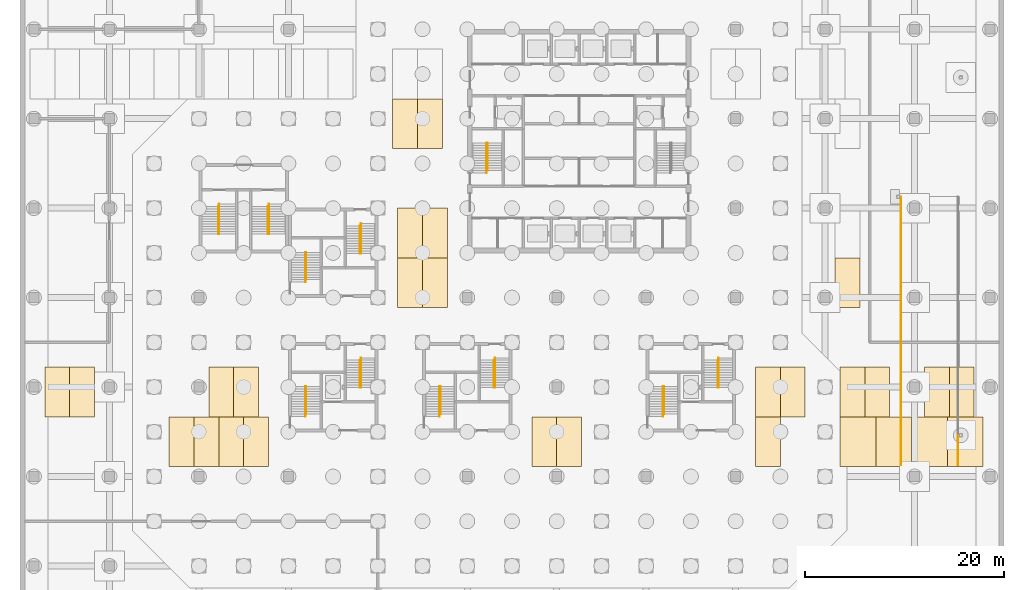
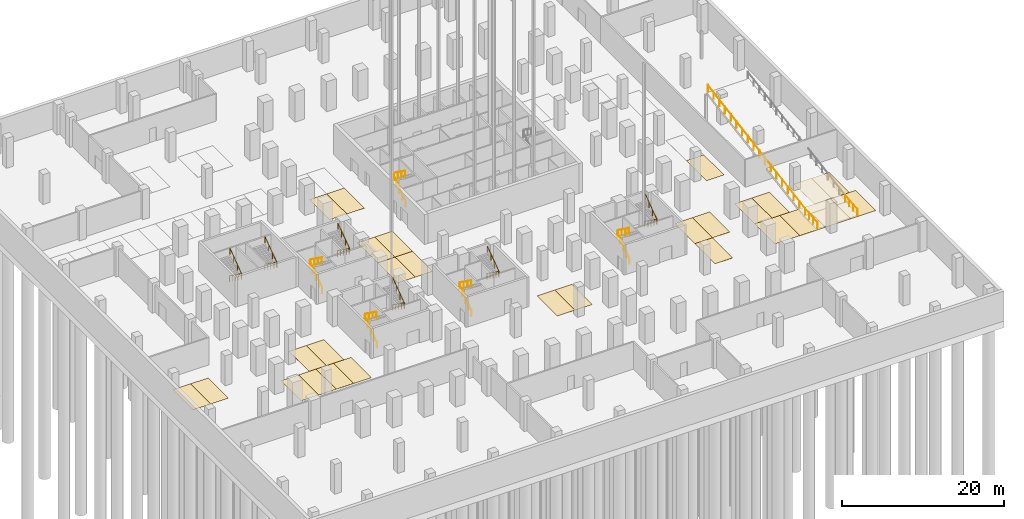
# One storey, part 35 of 37: 28 coverings, 14 railings.
"""IFC4 building model written with IfcOpenShell, lengths in metres."""

from ifc_helpers import new_model, si_unit, direction, frame, origin, origin_2d, place, context, subcontext, project, spatial, polyline, circle, outline, extrude, material, layer, layer_set, type_object, element, save


model = new_model("IFC4")

# Units and contexts
model_context = context("Model", 3, precision=1e-05, world=origin(), true_north=direction((0.0, 1.0)))
body_context = subcontext(model_context, "Body", "Model", "MODEL_VIEW")
ifc_project = project(units=[si_unit("LENGTHUNIT", "METRE"), si_unit("AREAUNIT", "SQUARE_METRE"), si_unit("VOLUMEUNIT", "CUBIC_METRE"), si_unit("PLANEANGLEUNIT", "RADIAN"), si_unit("MASSUNIT", "GRAM", prefix="KILO")], contexts=[model_context])

# Site, building, storey
site_placement = place(None, origin())
site = spatial("IfcSite", under=ifc_project, at=site_placement, CompositionType="ELEMENT")
building_placement = place(site_placement, origin())
building = spatial("IfcBuilding", under=site, at=building_placement, Name="Quoin Convention Tower", CompositionType="ELEMENT")
storey_placement = place(building_placement, frame((0.0, 0.0, -9.0)))
storey = spatial("IfcBuildingStorey", under=building, at=storey_placement, Name="B2", CompositionType="ELEMENT", Elevation=-9.0)

# Coverings
ifc_material_1 = material(Name="Road marking paint")
ifc_layer = layer(ifc_material_1, 0.0048828125)
ifc_layer_set = layer_set([ifc_layer], Name="Road marking paint")
covering_type = type_object("IfcCoveringType", Name="Parking bay marking", PredefinedType="FLOORING", material=ifc_layer_set)
covering_1_placement = place(storey_placement, origin())
element("IfcCovering", 1, at=covering_1_placement, inside=storey, type_object=covering_type, Name="PARKING BAY B2-01", PredefinedType="FLOORING", context=body_context, shape_type="SweptSolid", body=[
    extrude(outline(polyline([(15.0, 28.0), (17.5, 28.0), (17.5, 33.0), (15.0, 33.0), (15.0, 28.0)])), origin(), (0.0, 0.0, 1.0), 0.0048828125),
])
covering_2_placement = place(storey_placement, origin())
element("IfcCovering", 2, at=covering_2_placement, inside=storey, type_object=covering_type, Name="PARKING BAY B2-02", PredefinedType="FLOORING", context=body_context, shape_type="SweptSolid", body=[
    extrude(outline(polyline([(17.5, 28.0), (20.0, 28.0), (20.0, 33.0), (17.5, 33.0), (17.5, 28.0)])), origin(), (0.0, 0.0, 1.0), 0.0048828125),
])
covering_3_placement = place(storey_placement, origin())
element("IfcCovering", 3, at=covering_3_placement, inside=storey, type_object=covering_type, Name="PARKING BAY B2-03", PredefinedType="FLOORING", context=body_context, shape_type="SweptSolid", body=[
    extrude(outline(polyline([(20.0, 28.0), (22.5, 28.0), (22.5, 33.0), (20.0, 33.0), (20.0, 28.0)])), origin(), (0.0, 0.0, 1.0), 0.0048828125),
])
covering_4_placement = place(storey_placement, origin())
element("IfcCovering", 4, at=covering_4_placement, inside=storey, type_object=covering_type, Name="PARKING BAY B2-04", PredefinedType="FLOORING", context=body_context, shape_type="SweptSolid", body=[
    extrude(outline(polyline([(22.5, 28.0), (25.0, 28.0), (25.0, 33.0), (22.5, 33.0), (22.5, 28.0)])), origin(), (0.0, 0.0, 1.0), 0.0048828125),
])
covering_5_placement = place(storey_placement, origin())
element("IfcCovering", 5, at=covering_5_placement, inside=storey, type_object=covering_type, Name="PARKING BAY B2-05", PredefinedType="FLOORING", context=body_context, shape_type="SweptSolid", body=[
    extrude(outline(polyline([(51.5, 28.0), (54.0, 28.0), (54.0, 33.0), (51.5, 33.0), (51.5, 28.0)])), origin(), (0.0, 0.0, 1.0), 0.0048828125),
])
covering_6_placement = place(storey_placement, origin())
element("IfcCovering", 6, at=covering_6_placement, inside=storey, type_object=covering_type, Name="PARKING BAY B2-06", PredefinedType="FLOORING", context=body_context, shape_type="SweptSolid", body=[
    extrude(outline(polyline([(54.0, 28.0), (56.5, 28.0), (56.5, 33.0), (54.0, 33.0), (54.0, 28.0)])), origin(), (0.0, 0.0, 1.0), 0.0048828125),
])
covering_7_placement = place(storey_placement, origin())
element("IfcCovering", 7, at=covering_7_placement, inside=storey, type_object=covering_type, Name="PARKING BAY B2-07", PredefinedType="FLOORING", context=body_context, shape_type="SweptSolid", body=[
    extrude(outline(polyline([(74.0, 28.0), (76.5, 28.0), (76.5, 33.0), (74.0, 33.0), (74.0, 28.0)])), origin(), (0.0, 0.0, 1.0), 0.0048828125),
])
covering_8_placement = place(storey_placement, origin())
element("IfcCovering", 8, at=covering_8_placement, inside=storey, type_object=covering_type, Name="ACCESSIBLE PARKING BAY B2-08", PredefinedType="FLOORING", context=body_context, shape_type="SweptSolid", body=[
    extrude(outline(polyline([(82.5, 28.0), (86.10009765625, 28.0), (86.10009765625, 33.0), (82.5, 33.0), (82.5, 28.0)])), origin(), (0.0, 0.0, 1.0), 0.0048828125),
])
covering_9_placement = place(storey_placement, origin())
element("IfcCovering", 9, at=covering_9_placement, inside=storey, type_object=covering_type, Name="ACCESSIBLE PARKING BAY B2-09", PredefinedType="FLOORING", context=body_context, shape_type="SweptSolid", body=[
    extrude(outline(polyline([(86.10009765625, 28.0), (89.699951171875, 28.0), (89.699951171875, 33.0), (86.10009765625, 33.0), (86.10009765625, 28.0)])), origin(), (0.0, 0.0, 1.0), 0.0048828125),
])
covering_10_placement = place(storey_placement, origin())
element("IfcCovering", 10, at=covering_10_placement, inside=storey, type_object=covering_type, Name="ACCESSIBLE PARKING BAY B2-10", PredefinedType="FLOORING", context=body_context, shape_type="SweptSolid", body=[
    extrude(outline(polyline([(89.699951171875, 28.0), (93.300048828125, 28.0), (93.300048828125, 33.0), (89.699951171875, 33.0), (89.699951171875, 28.0)])), origin(), (0.0, 0.0, 1.0), 0.0048828125),
])
covering_11_placement = place(storey_placement, origin())
element("IfcCovering", 11, at=covering_11_placement, inside=storey, type_object=covering_type, Name="ACCESSIBLE PARKING BAY B2-11", PredefinedType="FLOORING", context=body_context, shape_type="SweptSolid", body=[
    extrude(outline(polyline([(93.300048828125, 28.0), (96.89990234375, 28.0), (96.89990234375, 33.0), (93.300048828125, 33.0), (93.300048828125, 28.0)])), origin(), (0.0, 0.0, 1.0), 0.0048828125),
])
covering_12_placement = place(storey_placement, origin())
element("IfcCovering", 12, at=covering_12_placement, inside=storey, type_object=covering_type, Name="PARKING BAY B2-12", PredefinedType="FLOORING", context=body_context, shape_type="SweptSolid", body=[
    extrude(outline(polyline([(2.5, 33.0), (5.0, 33.0), (5.0, 38.0), (2.5, 38.0), (2.5, 33.0)])), origin(), (0.0, 0.0, 1.0), 0.0048828125),
])
covering_13_placement = place(storey_placement, origin())
element("IfcCovering", 13, at=covering_13_placement, inside=storey, type_object=covering_type, Name="PARKING BAY B2-13", PredefinedType="FLOORING", context=body_context, shape_type="SweptSolid", body=[
    extrude(outline(polyline([(5.0, 33.0), (7.5, 33.0), (7.5, 38.0), (5.0, 38.0), (5.0, 33.0)])), origin(), (0.0, 0.0, 1.0), 0.0048828125),
])
covering_14_placement = place(storey_placement, origin())
element("IfcCovering", 14, at=covering_14_placement, inside=storey, type_object=covering_type, Name="PARKING BAY B2-14", PredefinedType="FLOORING", context=body_context, shape_type="SweptSolid", body=[
    extrude(outline(polyline([(19.0, 33.0), (21.5, 33.0), (21.5, 38.0), (19.0, 38.0), (19.0, 33.0)])), origin(), (0.0, 0.0, 1.0), 0.0048828125),
])
covering_15_placement = place(storey_placement, origin())
element("IfcCovering", 15, at=covering_15_placement, inside=storey, type_object=covering_type, Name="PARKING BAY B2-15", PredefinedType="FLOORING", context=body_context, shape_type="SweptSolid", body=[
    extrude(outline(polyline([(21.5, 33.0), (24.0, 33.0), (24.0, 38.0), (21.5, 38.0), (21.5, 33.0)])), origin(), (0.0, 0.0, 1.0), 0.0048828125),
])
covering_16_placement = place(storey_placement, origin())
element("IfcCovering", 16, at=covering_16_placement, inside=storey, type_object=covering_type, Name="PARKING BAY B2-16", PredefinedType="FLOORING", context=body_context, shape_type="SweptSolid", body=[
    extrude(outline(polyline([(74.0, 33.0), (76.5, 33.0), (76.5, 38.0), (74.0, 38.0), (74.0, 33.0)])), origin(), (0.0, 0.0, 1.0), 0.0048828125),
])
covering_17_placement = place(storey_placement, origin())
element("IfcCovering", 17, at=covering_17_placement, inside=storey, type_object=covering_type, Name="PARKING BAY B2-17", PredefinedType="FLOORING", context=body_context, shape_type="SweptSolid", body=[
    extrude(outline(polyline([(76.5, 33.0), (79.0, 33.0), (79.0, 38.0), (76.5, 38.0), (76.5, 33.0)])), origin(), (0.0, 0.0, 1.0), 0.0048828125),
])
covering_18_placement = place(storey_placement, origin())
element("IfcCovering", 18, at=covering_18_placement, inside=storey, type_object=covering_type, Name="PARKING BAY B2-18", PredefinedType="FLOORING", context=body_context, shape_type="SweptSolid", body=[
    extrude(outline(polyline([(82.5, 33.0), (85.0, 33.0), (85.0, 38.0), (82.5, 38.0), (82.5, 33.0)])), origin(), (0.0, 0.0, 1.0), 0.0048828125),
])
covering_19_placement = place(storey_placement, origin())
element("IfcCovering", 19, at=covering_19_placement, inside=storey, type_object=covering_type, Name="PARKING BAY B2-19", PredefinedType="FLOORING", context=body_context, shape_type="SweptSolid", body=[
    extrude(outline(polyline([(85.0, 33.0), (87.5, 33.0), (87.5, 38.0), (85.0, 38.0), (85.0, 33.0)])), origin(), (0.0, 0.0, 1.0), 0.0048828125),
])
covering_20_placement = place(storey_placement, origin())
element("IfcCovering", 20, at=covering_20_placement, inside=storey, type_object=covering_type, Name="PARKING BAY B2-20", PredefinedType="FLOORING", context=body_context, shape_type="SweptSolid", body=[
    extrude(outline(polyline([(91.0, 33.0), (93.5, 33.0), (93.5, 38.0), (91.0, 38.0), (91.0, 33.0)])), origin(), (0.0, 0.0, 1.0), 0.0048828125),
])
covering_21_placement = place(storey_placement, origin())
element("IfcCovering", 21, at=covering_21_placement, inside=storey, type_object=covering_type, Name="PARKING BAY B2-21", PredefinedType="FLOORING", context=body_context, shape_type="SweptSolid", body=[
    extrude(outline(polyline([(93.5, 33.0), (96.0, 33.0), (96.0, 38.0), (93.5, 38.0), (93.5, 33.0)])), origin(), (0.0, 0.0, 1.0), 0.0048828125),
])
covering_22_placement = place(storey_placement, origin())
element("IfcCovering", 22, at=covering_22_placement, inside=storey, type_object=covering_type, Name="PARKING BAY B2-22", PredefinedType="FLOORING", context=body_context, shape_type="SweptSolid", body=[
    extrude(outline(polyline([(38.0, 44.0), (40.5, 44.0), (40.5, 49.0), (38.0, 49.0), (38.0, 44.0)])), origin(), (0.0, 0.0, 1.0), 0.0048828125),
])
covering_23_placement = place(storey_placement, origin())
element("IfcCovering", 23, at=covering_23_placement, inside=storey, type_object=covering_type, Name="PARKING BAY B2-23", PredefinedType="FLOORING", context=body_context, shape_type="SweptSolid", body=[
    extrude(outline(polyline([(40.5, 44.0), (43.0, 44.0), (43.0, 49.0), (40.5, 49.0), (40.5, 44.0)])), origin(), (0.0, 0.0, 1.0), 0.0048828125),
])
covering_24_placement = place(storey_placement, origin())
element("IfcCovering", 24, at=covering_24_placement, inside=storey, type_object=covering_type, Name="PARKING BAY B2-24", PredefinedType="FLOORING", context=body_context, shape_type="SweptSolid", body=[
    extrude(outline(polyline([(82.0, 44.0), (84.5, 44.0), (84.5, 49.0), (82.0, 49.0), (82.0, 44.0)])), origin(), (0.0, 0.0, 1.0), 0.0048828125),
])
covering_25_placement = place(storey_placement, origin())
element("IfcCovering", 25, at=covering_25_placement, inside=storey, type_object=covering_type, Name="PARKING BAY B2-25", PredefinedType="FLOORING", context=body_context, shape_type="SweptSolid", body=[
    extrude(outline(polyline([(38.0, 49.0), (40.5, 49.0), (40.5, 54.0), (38.0, 54.0), (38.0, 49.0)])), origin(), (0.0, 0.0, 1.0), 0.0048828125),
])
covering_26_placement = place(storey_placement, origin())
element("IfcCovering", 26, at=covering_26_placement, inside=storey, type_object=covering_type, Name="PARKING BAY B2-26", PredefinedType="FLOORING", context=body_context, shape_type="SweptSolid", body=[
    extrude(outline(polyline([(40.5, 49.0), (43.0, 49.0), (43.0, 54.0), (40.5, 54.0), (40.5, 49.0)])), origin(), (0.0, 0.0, 1.0), 0.0048828125),
])
covering_27_placement = place(storey_placement, origin())
element("IfcCovering", 27, at=covering_27_placement, inside=storey, type_object=covering_type, Name="PARKING BAY B2-28", PredefinedType="FLOORING", context=body_context, shape_type="SweptSolid", body=[
    extrude(outline(polyline([(37.5, 60.0), (40.0, 60.0), (40.0, 65.0), (37.5, 65.0), (37.5, 60.0)])), origin(), (0.0, 0.0, 1.0), 0.0048828125),
])
covering_28_placement = place(storey_placement, origin())
element("IfcCovering", 28, at=covering_28_placement, inside=storey, type_object=covering_type, Name="PARKING BAY B2-29", PredefinedType="FLOORING", context=body_context, shape_type="SweptSolid", body=[
    extrude(outline(polyline([(40.0, 60.0), (42.5, 60.0), (42.5, 65.0), (40.0, 65.0), (40.0, 60.0)])), origin(), (0.0, 0.0, 1.0), 0.0048828125),
])

# Railings
ifc_material_2 = material(Name="Stainless steel", Category="steel")
railing_type_1 = type_object("IfcRailingType", Name="Ramp guard 1100", PredefinedType="GUARDRAIL", material=ifc_material_2)
railing_1_placement = place(storey_placement, frame((88.64990234375, 55.14990234375, 4.25)))
element("IfcRailing", 29, at=railing_1_placement, inside=storey, type_object=railing_type_1, Name="grd-ramp-2mainW", PredefinedType="GUARDRAIL", context=body_context, shape_type="SweptSolid", body=[
    extrude(circle(Radius=0.02392578125, at=origin_2d()), frame((0.0, 0.0, 1.076171875), z_axis=(0.0, -0.986393923832, -0.164398987305), x_axis=(1.0, 0.0, 0.0)), (0.0, 0.0, 1.0), 24.3310546875),
    extrude(circle(Radius=0.02099609375, at=origin_2d()), origin(), (0.0, 0.0, 1.0), 1.052001953125),
    extrude(circle(Radius=0.02099609375, at=origin_2d()), frame((0.0, -1.411865234375, -0.2353515625)), (0.0, 0.0, 1.0), 1.052001953125),
    extrude(circle(Radius=0.02099609375, at=origin_2d()), frame((0.0, -2.823486328125, -0.470703125)), (0.0, 0.0, 1.0), 1.052001953125),
    extrude(circle(Radius=0.02099609375, at=origin_2d()), frame((0.0, -4.2353515625, -0.705810546875)), (0.0, 0.0, 1.0), 1.052001953125),
    extrude(circle(Radius=0.02099609375, at=origin_2d()), frame((0.0, -5.64697265625, -0.941162109375)), (0.0, 0.0, 1.0), 1.052001953125),
    extrude(circle(Radius=0.02099609375, at=origin_2d()), frame((0.0, -7.058837890625, -1.176513671875)), (0.0, 0.0, 1.0), 1.052001953125),
    extrude(circle(Radius=0.02099609375, at=origin_2d()), frame((0.0, -8.470703125, -1.411865234375)), (0.0, 0.0, 1.0), 1.052001953125),
    extrude(circle(Radius=0.02099609375, at=origin_2d()), frame((0.0, -9.88232421875, -1.64697265625)), (0.0, 0.0, 1.0), 1.052001953125),
    extrude(circle(Radius=0.02099609375, at=origin_2d()), frame((0.0, -11.294189453125, -1.88232421875)), (0.0, 0.0, 1.0), 1.052001953125),
    extrude(circle(Radius=0.02099609375, at=origin_2d()), frame((0.0, -12.705810546875, -2.11767578125)), (0.0, 0.0, 1.0), 1.052001953125),
    extrude(circle(Radius=0.02099609375, at=origin_2d()), frame((0.0, -14.11767578125, -2.35302734375)), (0.0, 0.0, 1.0), 1.052001953125),
    extrude(circle(Radius=0.02099609375, at=origin_2d()), frame((0.0, -15.529296875, -2.588134765625)), (0.0, 0.0, 1.0), 1.052001953125),
    extrude(circle(Radius=0.02099609375, at=origin_2d()), frame((0.0, -16.941162109375, -2.823486328125)), (0.0, 0.0, 1.0), 1.052001953125),
    extrude(circle(Radius=0.02099609375, at=origin_2d()), frame((0.0, -18.35302734375, -3.058837890625)), (0.0, 0.0, 1.0), 1.052001953125),
    extrude(circle(Radius=0.02099609375, at=origin_2d()), frame((0.0, -19.7646484375, -3.294189453125)), (0.0, 0.0, 1.0), 1.052001953125),
    extrude(circle(Radius=0.02099609375, at=origin_2d()), frame((0.0, -21.176513671875, -3.529296875)), (0.0, 0.0, 1.0), 1.052001953125),
    extrude(circle(Radius=0.02099609375, at=origin_2d()), frame((0.0, -22.588134765625, -3.7646484375)), (0.0, 0.0, 1.0), 1.052001953125),
    extrude(circle(Radius=0.02099609375, at=origin_2d()), frame((0.0, -24.0, -4.0)), (0.0, 0.0, 1.0), 1.052001953125),
])
for number, where, name in (
    (30, (88.64990234375, 31.14990234375, 0.25), "grd-ramp-2footW"),
    (31, (94.35009765625, 31.14990234375, 0.25), "grd-ramp-2footE"),
):
    element("IfcRailing", number, at=place(storey_placement, frame(where)), inside=storey, type_object=railing_type_1, Name=name, PredefinedType="GUARDRAIL", context=body_context, shape_type="SweptSolid", body=[
        extrude(circle(Radius=0.02392578125, at=origin_2d()), frame((0.0, 0.0, 1.076171875), z_axis=(0.0, -0.996545758245, -0.083045479854), x_axis=(1.0, 0.0, 0.0)), (0.0, 0.0, 1.0), 3.010498046875),
        extrude(circle(Radius=0.02099609375, at=origin_2d()), origin(), (0.0, 0.0, 1.0), 1.052001953125),
        extrude(circle(Radius=0.02099609375, at=origin_2d()), frame((0.0, -1.0, -0.083251953125)), (0.0, 0.0, 1.0), 1.052001953125),
        extrude(circle(Radius=0.02099609375, at=origin_2d()), frame((0.0, -2.0, -0.166748046875)), (0.0, 0.0, 1.0), 1.052001953125),
        extrude(circle(Radius=0.02099609375, at=origin_2d()), frame((0.0, -3.0, -0.25)), (0.0, 0.0, 1.0), 1.052001953125),
    ])
railing_type_2 = type_object("IfcRailingType", Name="Stair handrail 900", PredefinedType="HANDRAIL", material=ifc_material_2)
for number, where, name in (
    (32, (46.955078125, 57.550048828125, 0.179931640625), "SD1 handrail 1"),
    (33, (28.705078125, 46.550048828125, 0.179931640625), "SD3 handrail 1"),
):
    element("IfcRailing", number, at=place(storey_placement, frame(where)), inside=storey, type_object=railing_type_2, Name=name, PredefinedType="HANDRAIL", context=body_context, shape_type="SweptSolid", body=[
        extrude(circle(Radius=0.02392578125, at=origin_2d()), frame((0.0, 0.0, 0.8759765625), z_axis=(0.0, 0.811514298965, 0.584332561625), x_axis=(-1.0, 0.0, 0.0)), (0.0, 0.0, 1.0), 3.69677734375),
        extrude(circle(Radius=0.02392578125, at=origin_2d()), frame((0.0, 3.0, 3.0361328125), z_axis=(0.446727955732, 0.0, 0.894669846126), x_axis=(0.0, 1.0, 0.0)), (0.0, 0.0, 1.0), 0.201171875),
        extrude(circle(Radius=0.02392578125, at=origin_2d()), frame((0.08984375, 3.0, 3.2158203125), z_axis=(0.0, -0.811537074521, 0.584300929897), x_axis=(1.0, 0.0, 0.0)), (0.0, 0.0, 1.0), 3.388671875),
        extrude(circle(Radius=0.02099609375, at=origin_2d()), origin(), (0.0, 0.0, 1.0), 0.851806640625),
        extrude(circle(Radius=0.02099609375, at=origin_2d()), frame((0.0, 0.75, 0.5400390625)), (0.0, 0.0, 1.0), 0.851806640625),
        extrude(circle(Radius=0.02099609375, at=origin_2d()), frame((0.0, 1.5, 1.080078125)), (0.0, 0.0, 1.0), 0.851806640625),
        extrude(circle(Radius=0.02099609375, at=origin_2d()), frame((0.0, 2.25, 1.6201171875)), (0.0, 0.0, 1.0), 0.851806640625),
        extrude(circle(Radius=0.02099609375, at=origin_2d()), frame((0.0, 3.0, 2.16015625)), (0.0, 0.0, 1.0), 0.851806640625),
        extrude(circle(Radius=0.02099609375, at=origin_2d()), frame((0.08984375, 3.0, 2.340087890625)), (0.0, 0.0, 1.0), 0.851806640625),
        extrude(circle(Radius=0.02099609375, at=origin_2d()), frame((0.08984375, 2.083251953125, 3.0)), (0.0, 0.0, 1.0), 0.851806640625),
        extrude(circle(Radius=0.02099609375, at=origin_2d()), frame((0.08984375, 1.166748046875, 3.66015625)), (0.0, 0.0, 1.0), 0.851806640625),
        extrude(circle(Radius=0.02099609375, at=origin_2d()), frame((0.08984375, 0.25, 4.320068359375)), (0.0, 0.0, 1.0), 0.851806640625),
    ])
railing_2_placement = place(storey_placement, frame((34.294921875, 52.449951171875, 0.179931640625)))
element("IfcRailing", 34, at=railing_2_placement, inside=storey, type_object=railing_type_2, Name="SD4 handrail 1", PredefinedType="HANDRAIL", context=body_context, shape_type="SweptSolid", body=[
    extrude(circle(Radius=0.02392578125, at=origin_2d()), frame((0.0, 0.0, 0.8759765625), z_axis=(0.0, -0.811514298965, 0.584332561625), x_axis=(1.0, 0.0, 0.0)), (0.0, 0.0, 1.0), 3.69677734375),
    extrude(circle(Radius=0.02392578125, at=origin_2d()), frame((0.0, -3.0, 3.0361328125), z_axis=(-0.446727955732, 0.0, 0.894669846126), x_axis=(0.0, -1.0, 0.0)), (0.0, 0.0, 1.0), 0.201171875),
    extrude(circle(Radius=0.02392578125, at=origin_2d()), frame((-0.08984375, -3.0, 3.2158203125), z_axis=(0.0, 0.811537074521, 0.584300929897), x_axis=(-1.0, 0.0, 0.0)), (0.0, 0.0, 1.0), 3.388671875),
    extrude(circle(Radius=0.02099609375, at=origin_2d()), origin(), (0.0, 0.0, 1.0), 0.851806640625),
    extrude(circle(Radius=0.02099609375, at=origin_2d()), frame((0.0, -0.75, 0.5400390625)), (0.0, 0.0, 1.0), 0.851806640625),
    extrude(circle(Radius=0.02099609375, at=origin_2d()), frame((0.0, -1.5, 1.080078125)), (0.0, 0.0, 1.0), 0.851806640625),
    extrude(circle(Radius=0.02099609375, at=origin_2d()), frame((0.0, -2.25, 1.6201171875)), (0.0, 0.0, 1.0), 0.851806640625),
    extrude(circle(Radius=0.02099609375, at=origin_2d()), frame((0.0, -3.0, 2.16015625)), (0.0, 0.0, 1.0), 0.851806640625),
    extrude(circle(Radius=0.02099609375, at=origin_2d()), frame((-0.08984375, -3.0, 2.340087890625)), (0.0, 0.0, 1.0), 0.851806640625),
    extrude(circle(Radius=0.02099609375, at=origin_2d()), frame((-0.08984375, -2.083251953125, 3.0)), (0.0, 0.0, 1.0), 0.851806640625),
    extrude(circle(Radius=0.02099609375, at=origin_2d()), frame((-0.08984375, -1.166748046875, 3.66015625)), (0.0, 0.0, 1.0), 0.851806640625),
    extrude(circle(Radius=0.02099609375, at=origin_2d()), frame((-0.08984375, -0.25, 4.320068359375)), (0.0, 0.0, 1.0), 0.851806640625),
])
railing_3_placement = place(storey_placement, frame((42.205078125, 33.050048828125, 0.179931640625)))
element("IfcRailing", 35, at=railing_3_placement, inside=storey, type_object=railing_type_2, Name="SD5 handrail 1", PredefinedType="HANDRAIL", context=body_context, shape_type="SweptSolid", body=[
    extrude(circle(Radius=0.02392578125, at=origin_2d()), frame((0.0, 0.0, 0.8759765625), z_axis=(0.0, 0.811514298965, 0.584332561625), x_axis=(-1.0, 0.0, 0.0)), (0.0, 0.0, 1.0), 3.69677734375),
    extrude(circle(Radius=0.02392578125, at=origin_2d()), frame((0.0, 3.0, 3.0361328125), z_axis=(0.446727955732, 0.0, 0.894669846126), x_axis=(0.0, 1.0, 0.0)), (0.0, 0.0, 1.0), 0.201171875),
    extrude(circle(Radius=0.02392578125, at=origin_2d()), frame((0.08984375, 3.0, 3.2158203125), z_axis=(0.0, -0.811537074521, 0.584300929897), x_axis=(1.0, 0.0, 0.0)), (0.0, 0.0, 1.0), 3.388671875),
    extrude(circle(Radius=0.02099609375, at=origin_2d()), origin(), (0.0, 0.0, 1.0), 0.851806640625),
    extrude(circle(Radius=0.02099609375, at=origin_2d()), frame((0.0, 0.75, 0.5400390625)), (0.0, 0.0, 1.0), 0.851806640625),
    extrude(circle(Radius=0.02099609375, at=origin_2d()), frame((0.0, 1.5, 1.080078125)), (0.0, 0.0, 1.0), 0.851806640625),
    extrude(circle(Radius=0.02099609375, at=origin_2d()), frame((0.0, 2.25, 1.6201171875)), (0.0, 0.0, 1.0), 0.851806640625),
    extrude(circle(Radius=0.02099609375, at=origin_2d()), frame((0.0, 3.0, 2.16015625)), (0.0, 0.0, 1.0), 0.851806640625),
    extrude(circle(Radius=0.02099609375, at=origin_2d()), frame((0.08984375, 3.0, 2.340087890625)), (0.0, 0.0, 1.0), 0.851806640625),
    extrude(circle(Radius=0.02099609375, at=origin_2d()), frame((0.08984375, 2.083251953125, 3.0)), (0.0, 0.0, 1.0), 0.851806640625),
    extrude(circle(Radius=0.02099609375, at=origin_2d()), frame((0.08984375, 1.166748046875, 3.66015625)), (0.0, 0.0, 1.0), 0.851806640625),
    extrude(circle(Radius=0.02099609375, at=origin_2d()), frame((0.08984375, 0.25, 4.320068359375)), (0.0, 0.0, 1.0), 0.851806640625),
])
railing_4_placement = place(storey_placement, frame((47.794921875, 38.949951171875, 0.179931640625)))
element("IfcRailing", 36, at=railing_4_placement, inside=storey, type_object=railing_type_2, Name="SD6 handrail 1", PredefinedType="HANDRAIL", context=body_context, shape_type="SweptSolid", body=[
    extrude(circle(Radius=0.02392578125, at=origin_2d()), frame((0.0, 0.0, 0.8759765625), z_axis=(0.0, -0.811514298965, 0.584332561625), x_axis=(1.0, 0.0, 0.0)), (0.0, 0.0, 1.0), 3.69677734375),
    extrude(circle(Radius=0.02392578125, at=origin_2d()), frame((0.0, -3.0, 3.0361328125), z_axis=(-0.446727955732, 0.0, 0.894669846126), x_axis=(0.0, -1.0, 0.0)), (0.0, 0.0, 1.0), 0.201171875),
    extrude(circle(Radius=0.02392578125, at=origin_2d()), frame((-0.08984375, -3.0, 3.2158203125), z_axis=(0.0, 0.811537074521, 0.584300929897), x_axis=(-1.0, 0.0, 0.0)), (0.0, 0.0, 1.0), 3.388671875),
    extrude(circle(Radius=0.02099609375, at=origin_2d()), origin(), (0.0, 0.0, 1.0), 0.851806640625),
    extrude(circle(Radius=0.02099609375, at=origin_2d()), frame((0.0, -0.75, 0.5400390625)), (0.0, 0.0, 1.0), 0.851806640625),
    extrude(circle(Radius=0.02099609375, at=origin_2d()), frame((0.0, -1.5, 1.080078125)), (0.0, 0.0, 1.0), 0.851806640625),
    extrude(circle(Radius=0.02099609375, at=origin_2d()), frame((0.0, -2.25, 1.6201171875)), (0.0, 0.0, 1.0), 0.851806640625),
    extrude(circle(Radius=0.02099609375, at=origin_2d()), frame((0.0, -3.0, 2.16015625)), (0.0, 0.0, 1.0), 0.851806640625),
    extrude(circle(Radius=0.02099609375, at=origin_2d()), frame((-0.08984375, -3.0, 2.340087890625)), (0.0, 0.0, 1.0), 0.851806640625),
    extrude(circle(Radius=0.02099609375, at=origin_2d()), frame((-0.08984375, -2.083251953125, 3.0)), (0.0, 0.0, 1.0), 0.851806640625),
    extrude(circle(Radius=0.02099609375, at=origin_2d()), frame((-0.08984375, -1.166748046875, 3.66015625)), (0.0, 0.0, 1.0), 0.851806640625),
    extrude(circle(Radius=0.02099609375, at=origin_2d()), frame((-0.08984375, -0.25, 4.320068359375)), (0.0, 0.0, 1.0), 0.851806640625),
])
railing_5_placement = place(storey_placement, frame((28.705078125, 33.050048828125, 0.179931640625)))
element("IfcRailing", 37, at=railing_5_placement, inside=storey, type_object=railing_type_2, Name="SD7 handrail 1", PredefinedType="HANDRAIL", context=body_context, shape_type="SweptSolid", body=[
    extrude(circle(Radius=0.02392578125, at=origin_2d()), frame((0.0, 0.0, 0.8759765625), z_axis=(0.0, 0.811514298965, 0.584332561625), x_axis=(-1.0, 0.0, 0.0)), (0.0, 0.0, 1.0), 3.69677734375),
    extrude(circle(Radius=0.02392578125, at=origin_2d()), frame((0.0, 3.0, 3.0361328125), z_axis=(0.446727955732, 0.0, 0.894669846126), x_axis=(0.0, 1.0, 0.0)), (0.0, 0.0, 1.0), 0.201171875),
    extrude(circle(Radius=0.02392578125, at=origin_2d()), frame((0.08984375, 3.0, 3.2158203125), z_axis=(0.0, -0.811537074521, 0.584300929897), x_axis=(1.0, 0.0, 0.0)), (0.0, 0.0, 1.0), 3.388671875),
    extrude(circle(Radius=0.02099609375, at=origin_2d()), origin(), (0.0, 0.0, 1.0), 0.851806640625),
    extrude(circle(Radius=0.02099609375, at=origin_2d()), frame((0.0, 0.75, 0.5400390625)), (0.0, 0.0, 1.0), 0.851806640625),
    extrude(circle(Radius=0.02099609375, at=origin_2d()), frame((0.0, 1.5, 1.080078125)), (0.0, 0.0, 1.0), 0.851806640625),
    extrude(circle(Radius=0.02099609375, at=origin_2d()), frame((0.0, 2.25, 1.6201171875)), (0.0, 0.0, 1.0), 0.851806640625),
    extrude(circle(Radius=0.02099609375, at=origin_2d()), frame((0.0, 3.0, 2.16015625)), (0.0, 0.0, 1.0), 0.851806640625),
    extrude(circle(Radius=0.02099609375, at=origin_2d()), frame((0.08984375, 3.0, 2.340087890625)), (0.0, 0.0, 1.0), 0.851806640625),
    extrude(circle(Radius=0.02099609375, at=origin_2d()), frame((0.08984375, 2.083251953125, 3.0)), (0.0, 0.0, 1.0), 0.851806640625),
    extrude(circle(Radius=0.02099609375, at=origin_2d()), frame((0.08984375, 1.166748046875, 3.66015625)), (0.0, 0.0, 1.0), 0.851806640625),
    extrude(circle(Radius=0.02099609375, at=origin_2d()), frame((0.08984375, 0.25, 4.320068359375)), (0.0, 0.0, 1.0), 0.851806640625),
])
railing_6_placement = place(storey_placement, frame((34.294921875, 38.949951171875, 0.179931640625)))
element("IfcRailing", 38, at=railing_6_placement, inside=storey, type_object=railing_type_2, Name="SD8 handrail 1", PredefinedType="HANDRAIL", context=body_context, shape_type="SweptSolid", body=[
    extrude(circle(Radius=0.02392578125, at=origin_2d()), frame((0.0, 0.0, 0.8759765625), z_axis=(0.0, -0.811514298965, 0.584332561625), x_axis=(1.0, 0.0, 0.0)), (0.0, 0.0, 1.0), 3.69677734375),
    extrude(circle(Radius=0.02392578125, at=origin_2d()), frame((0.0, -3.0, 3.0361328125), z_axis=(-0.446727955732, 0.0, 0.894669846126), x_axis=(0.0, -1.0, 0.0)), (0.0, 0.0, 1.0), 0.201171875),
    extrude(circle(Radius=0.02392578125, at=origin_2d()), frame((-0.08984375, -3.0, 3.2158203125), z_axis=(0.0, 0.811537074521, 0.584300929897), x_axis=(-1.0, 0.0, 0.0)), (0.0, 0.0, 1.0), 3.388671875),
    extrude(circle(Radius=0.02099609375, at=origin_2d()), origin(), (0.0, 0.0, 1.0), 0.851806640625),
    extrude(circle(Radius=0.02099609375, at=origin_2d()), frame((0.0, -0.75, 0.5400390625)), (0.0, 0.0, 1.0), 0.851806640625),
    extrude(circle(Radius=0.02099609375, at=origin_2d()), frame((0.0, -1.5, 1.080078125)), (0.0, 0.0, 1.0), 0.851806640625),
    extrude(circle(Radius=0.02099609375, at=origin_2d()), frame((0.0, -2.25, 1.6201171875)), (0.0, 0.0, 1.0), 0.851806640625),
    extrude(circle(Radius=0.02099609375, at=origin_2d()), frame((0.0, -3.0, 2.16015625)), (0.0, 0.0, 1.0), 0.851806640625),
    extrude(circle(Radius=0.02099609375, at=origin_2d()), frame((-0.08984375, -3.0, 2.340087890625)), (0.0, 0.0, 1.0), 0.851806640625),
    extrude(circle(Radius=0.02099609375, at=origin_2d()), frame((-0.08984375, -2.083251953125, 3.0)), (0.0, 0.0, 1.0), 0.851806640625),
    extrude(circle(Radius=0.02099609375, at=origin_2d()), frame((-0.08984375, -1.166748046875, 3.66015625)), (0.0, 0.0, 1.0), 0.851806640625),
    extrude(circle(Radius=0.02099609375, at=origin_2d()), frame((-0.08984375, -0.25, 4.320068359375)), (0.0, 0.0, 1.0), 0.851806640625),
])
railing_7_placement = place(storey_placement, frame((64.705078125, 33.050048828125, 0.179931640625)))
element("IfcRailing", 39, at=railing_7_placement, inside=storey, type_object=railing_type_2, Name="SD9 handrail 1", PredefinedType="HANDRAIL", context=body_context, shape_type="SweptSolid", body=[
    extrude(circle(Radius=0.02392578125, at=origin_2d()), frame((0.0, 0.0, 0.8759765625), z_axis=(0.0, 0.811514298965, 0.584332561625), x_axis=(-1.0, 0.0, 0.0)), (0.0, 0.0, 1.0), 3.69677734375),
    extrude(circle(Radius=0.02392578125, at=origin_2d()), frame((0.0, 3.0, 3.0361328125), z_axis=(0.446727955732, 0.0, 0.894669846126), x_axis=(0.0, 1.0, 0.0)), (0.0, 0.0, 1.0), 0.201171875),
    extrude(circle(Radius=0.02392578125, at=origin_2d()), frame((0.08984375, 3.0, 3.2158203125), z_axis=(0.0, -0.811537074521, 0.584300929897), x_axis=(1.0, 0.0, 0.0)), (0.0, 0.0, 1.0), 3.388671875),
    extrude(circle(Radius=0.02099609375, at=origin_2d()), origin(), (0.0, 0.0, 1.0), 0.851806640625),
    extrude(circle(Radius=0.02099609375, at=origin_2d()), frame((0.0, 0.75, 0.5400390625)), (0.0, 0.0, 1.0), 0.851806640625),
    extrude(circle(Radius=0.02099609375, at=origin_2d()), frame((0.0, 1.5, 1.080078125)), (0.0, 0.0, 1.0), 0.851806640625),
    extrude(circle(Radius=0.02099609375, at=origin_2d()), frame((0.0, 2.25, 1.6201171875)), (0.0, 0.0, 1.0), 0.851806640625),
    extrude(circle(Radius=0.02099609375, at=origin_2d()), frame((0.0, 3.0, 2.16015625)), (0.0, 0.0, 1.0), 0.851806640625),
    extrude(circle(Radius=0.02099609375, at=origin_2d()), frame((0.08984375, 3.0, 2.340087890625)), (0.0, 0.0, 1.0), 0.851806640625),
    extrude(circle(Radius=0.02099609375, at=origin_2d()), frame((0.08984375, 2.083251953125, 3.0)), (0.0, 0.0, 1.0), 0.851806640625),
    extrude(circle(Radius=0.02099609375, at=origin_2d()), frame((0.08984375, 1.166748046875, 3.66015625)), (0.0, 0.0, 1.0), 0.851806640625),
    extrude(circle(Radius=0.02099609375, at=origin_2d()), frame((0.08984375, 0.25, 4.320068359375)), (0.0, 0.0, 1.0), 0.851806640625),
])
for number, where, name in (
    (40, (70.294921875, 38.949951171875, 0.179931640625), "SD10 handrail 1"),
    (41, (20.044921875, 54.39990234375, 0.179931640625), "SD11 handrail 1"),
    (42, (25.044921875, 54.39990234375, 0.179931640625), "SD12 handrail 1"),
):
    element("IfcRailing", number, at=place(storey_placement, frame(where)), inside=storey, type_object=railing_type_2, Name=name, PredefinedType="HANDRAIL", context=body_context, shape_type="SweptSolid", body=[
        extrude(circle(Radius=0.02392578125, at=origin_2d()), frame((0.0, 0.0, 0.8759765625), z_axis=(0.0, -0.811514298965, 0.584332561625), x_axis=(1.0, 0.0, 0.0)), (0.0, 0.0, 1.0), 3.69677734375),
        extrude(circle(Radius=0.02392578125, at=origin_2d()), frame((0.0, -3.0, 3.0361328125), z_axis=(-0.446727955732, 0.0, 0.894669846126), x_axis=(0.0, -1.0, 0.0)), (0.0, 0.0, 1.0), 0.201171875),
        extrude(circle(Radius=0.02392578125, at=origin_2d()), frame((-0.08984375, -3.0, 3.2158203125), z_axis=(0.0, 0.811537074521, 0.584300929897), x_axis=(-1.0, 0.0, 0.0)), (0.0, 0.0, 1.0), 3.388671875),
        extrude(circle(Radius=0.02099609375, at=origin_2d()), origin(), (0.0, 0.0, 1.0), 0.851806640625),
        extrude(circle(Radius=0.02099609375, at=origin_2d()), frame((0.0, -0.75, 0.5400390625)), (0.0, 0.0, 1.0), 0.851806640625),
        extrude(circle(Radius=0.02099609375, at=origin_2d()), frame((0.0, -1.5, 1.080078125)), (0.0, 0.0, 1.0), 0.851806640625),
        extrude(circle(Radius=0.02099609375, at=origin_2d()), frame((0.0, -2.25, 1.6201171875)), (0.0, 0.0, 1.0), 0.851806640625),
        extrude(circle(Radius=0.02099609375, at=origin_2d()), frame((0.0, -3.0, 2.16015625)), (0.0, 0.0, 1.0), 0.851806640625),
        extrude(circle(Radius=0.02099609375, at=origin_2d()), frame((-0.08984375, -3.0, 2.340087890625)), (0.0, 0.0, 1.0), 0.851806640625),
        extrude(circle(Radius=0.02099609375, at=origin_2d()), frame((-0.08984375, -2.083251953125, 3.0)), (0.0, 0.0, 1.0), 0.851806640625),
        extrude(circle(Radius=0.02099609375, at=origin_2d()), frame((-0.08984375, -1.166748046875, 3.66015625)), (0.0, 0.0, 1.0), 0.851806640625),
        extrude(circle(Radius=0.02099609375, at=origin_2d()), frame((-0.08984375, -0.25, 4.320068359375)), (0.0, 0.0, 1.0), 0.851806640625),
    ])

save(model, "model.ifc")
